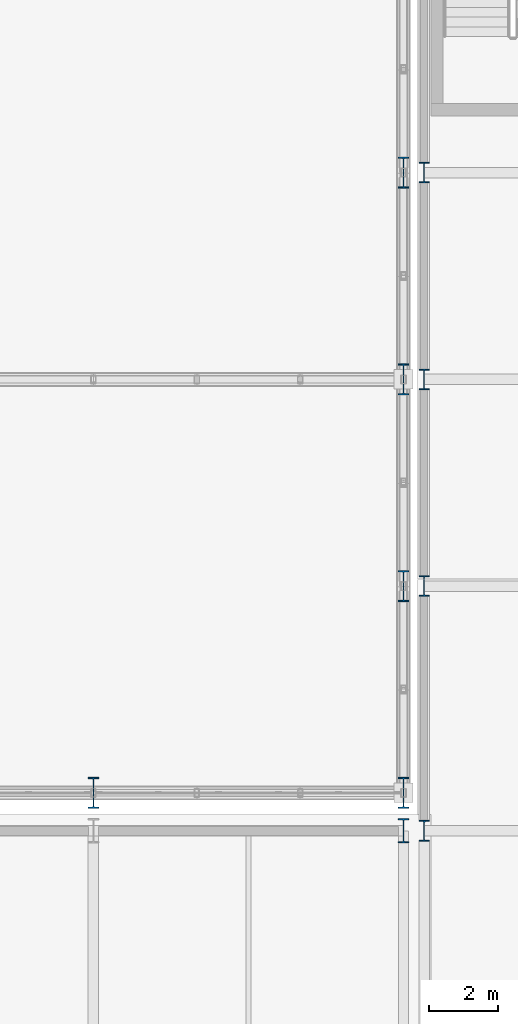
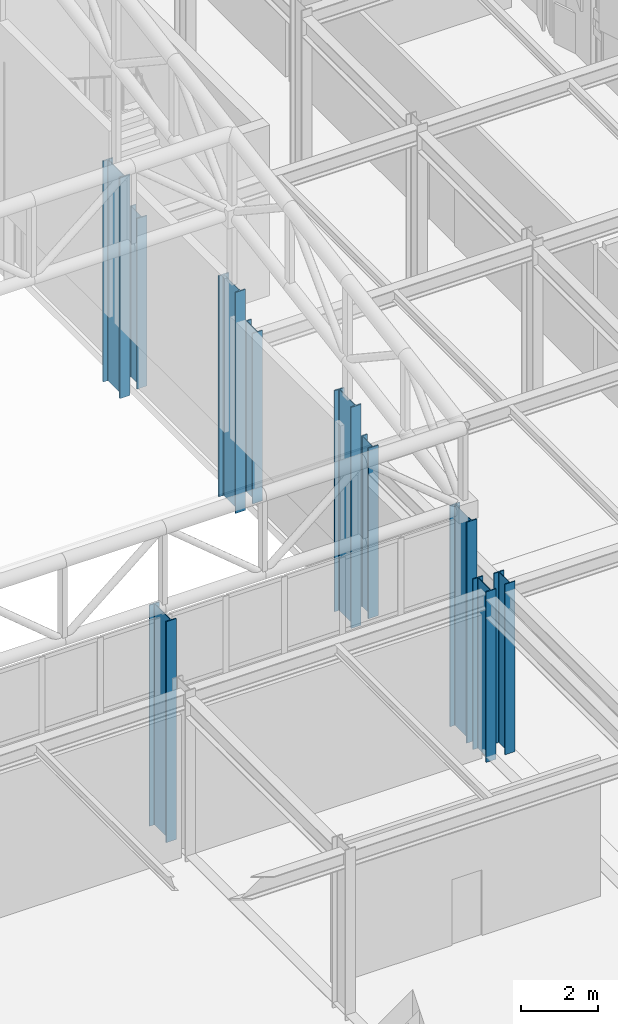
# One storey, part 10 of 239: 10 columns.
"""IFC4 building model written with IfcOpenShell, lengths in metres."""

from ifc_helpers import new_model, si_unit, direction, frame, origin, origin_2d, place, context, subcontext, project, spatial, i_section, extrude, material, material_profile, profile_set, type_object, element, save


model = new_model("IFC4")

# Units and contexts
model_context = context("Model", 3, precision=1e-05, world=origin(), true_north=direction((0.0, 1.0)))
body_context = subcontext(model_context, "Body", "Model", "MODEL_VIEW")
ifc_project = project(units=[si_unit("LENGTHUNIT", "METRE"), si_unit("AREAUNIT", "SQUARE_METRE"), si_unit("VOLUMEUNIT", "CUBIC_METRE"), si_unit("PLANEANGLEUNIT", "RADIAN"), si_unit("MASSUNIT", "GRAM", prefix="KILO")], contexts=[model_context])

# Site, building, storey
site_placement = place(None, origin())
site = spatial("IfcSite", under=ifc_project, at=site_placement, CompositionType="ELEMENT")
building_placement = place(site_placement, origin())
building = spatial("IfcBuilding", under=site, at=building_placement, Name="Kaldris Quays Convention Centre", CompositionType="ELEMENT")
storey_placement = place(building_placement, frame((0.0, 0.0, 11.39990234375)))
storey = spatial("IfcBuildingStorey", under=building, at=storey_placement, Name="L02", CompositionType="ELEMENT", Elevation=11.39990234375)

# Columns
ifc_material = material(Name="Steel S355J2", Category="steel")
ifc_material_profile_1 = material_profile(ifc_material, i_section(OverallWidth=0.300048828125, OverallDepth=0.89990234375, WebThickness=0.0185546875, FlangeThickness=0.034912109375, FilletRadius=0.030029296875, at=origin_2d()), Name="HEB 900")
ifc_profile_set_1 = profile_set([ifc_material_profile_1], Name="Steel S355J2")
column_type_1 = type_object("IfcColumnType", Name="STRUCTURAL COLUMN CL03", PredefinedType="COLUMN", material=ifc_profile_set_1)
for number, where, z_axis, x_axis, name in (
    (1, (137.0, 56.0, 0.0), (0.0, 0.0, 1.0), (1.0, 0.0, 0.0), "L02 V1 Column CL03 (137.00, 56.00)"),
    (2, (146.0, 56.0, 0.0), (0.0, 0.0, 1.0), (1.0, 0.0, 0.0), "L02 V1 Column CL03 (146.00, 56.00)"),
    (3, (146.0, 62.0, 0.0), (0.0, 0.0, 1.0), (1.0, 0.0, 0.0), "L02 V1 Column CL03 (146.00, 62.00)"),
    (4, (146.0, 68.0, 0.0), (0.0, 0.0, 1.0), (1.0, 0.0, 0.0), "L02 V1 Column CL03 (146.00, 68.00)"),
    (5, (146.0, 74.0, 0.0), (0.0, 0.0, 1.0), (1.0, 0.0, 0.0), "L02 V1 Column CL03 (146.00, 74.00)"),
):
    element("IfcColumn", number, at=place(storey_placement, frame(where, z_axis=z_axis, x_axis=x_axis)), inside=storey, type_object=column_type_1, Name=name, PredefinedType="COLUMN", context=body_context, shape_type="SweptSolid", body=[
        extrude(i_section(OverallWidth=0.300048828125, OverallDepth=0.89990234375, WebThickness=0.0185546875, FlangeThickness=0.034912109375, FilletRadius=0.030029296875, at=origin_2d()), origin(), (0.0, 0.0, 1.0), 7.0),
    ])
ifc_material_profile_2 = material_profile(ifc_material, i_section(OverallWidth=0.300048828125, OverallDepth=0.699951171875, WebThickness=0.01708984375, FlangeThickness=0.031982421875, FilletRadius=0.027099609375, at=origin_2d()), Name="HEB 700")
ifc_profile_set_2 = profile_set([ifc_material_profile_2], Name="Steel S355J2")
column_type_2 = type_object("IfcColumnType", Name="STRUCTURAL COLUMN CL05", PredefinedType="COLUMN", material=ifc_profile_set_2)
column_placement = place(storey_placement, frame((146.0, 54.89990234375, 0.0), z_axis=(0.0, 0.0, 1.0), x_axis=(1.0, 0.0, 0.0)))
element("IfcColumn", 6, at=column_placement, inside=storey, type_object=column_type_2, Name="L02 V4 Column CL05 (146.00, 54.90)", PredefinedType="COLUMN", context=body_context, shape_type="SweptSolid", body=[
    extrude(i_section(OverallWidth=0.300048828125, OverallDepth=0.699951171875, WebThickness=0.01708984375, FlangeThickness=0.031982421875, FilletRadius=0.027099609375, at=origin_2d()), origin(), (0.0, 0.0, 1.0), 5.400146484375),
])
ifc_material_profile_3 = material_profile(ifc_material, i_section(OverallWidth=0.300048828125, OverallDepth=0.60009765625, WebThickness=0.015380859375, FlangeThickness=0.030029296875, FilletRadius=0.027099609375, at=origin_2d()), Name="HEB 600")
ifc_profile_set_3 = profile_set([ifc_material_profile_3], Name="Steel S355J2")
column_type_3 = type_object("IfcColumnType", Name="STRUCTURAL COLUMN CL06", PredefinedType="COLUMN", material=ifc_profile_set_3)
for number, where, z_axis, x_axis, name in (
    (7, (146.60009765625, 54.89990234375, 0.0), (0.0, 0.0, 1.0), (1.0, 0.0, 0.0), "L02 V4 Column CL06 (146.60, 54.90)"),
    (8, (146.60009765625, 62.0, 0.0), (0.0, 0.0, 1.0), (1.0, 0.0, 0.0), "L02 V4 Column CL06 (146.60, 62.00)"),
    (9, (146.60009765625, 68.0, 0.0), (0.0, 0.0, 1.0), (1.0, 0.0, 0.0), "L02 V4 Column CL06 (146.60, 68.00)"),
    (10, (146.60009765625, 74.0, 0.0), (0.0, 0.0, 1.0), (1.0, 0.0, 0.0), "L02 V4 Column CL06 (146.60, 74.00)"),
):
    element("IfcColumn", number, at=place(storey_placement, frame(where, z_axis=z_axis, x_axis=x_axis)), inside=storey, type_object=column_type_3, Name=name, PredefinedType="COLUMN", context=body_context, shape_type="SweptSolid", body=[
        extrude(i_section(OverallWidth=0.300048828125, OverallDepth=0.60009765625, WebThickness=0.015380859375, FlangeThickness=0.030029296875, FilletRadius=0.027099609375, at=origin_2d()), origin(), (0.0, 0.0, 1.0), 5.400146484375),
    ])

save(model, "model.ifc")
